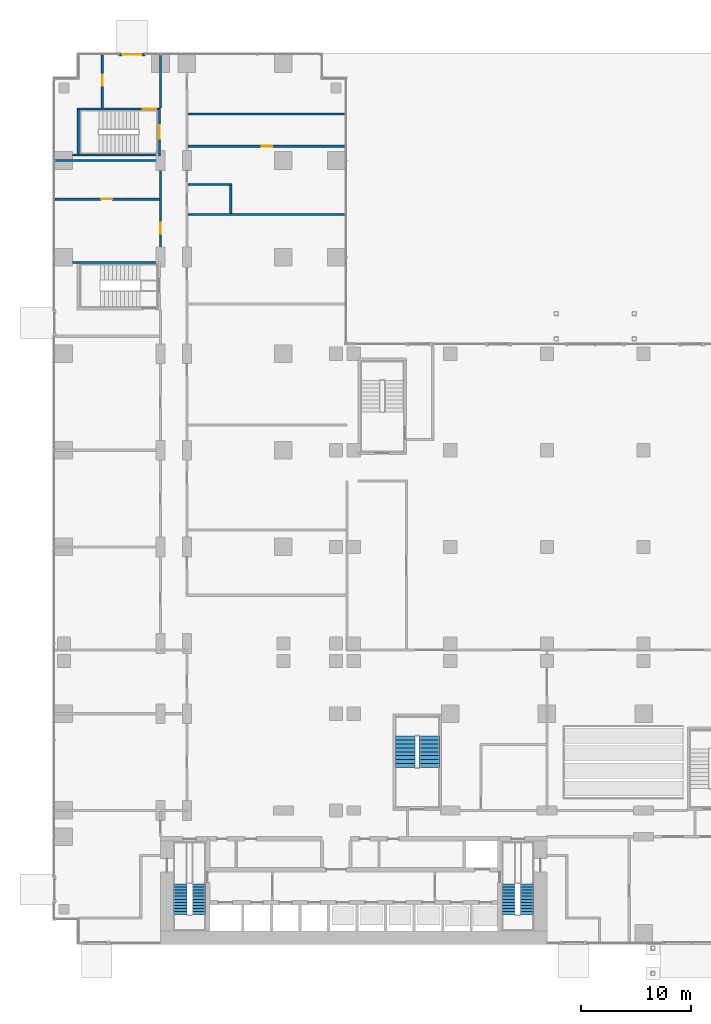
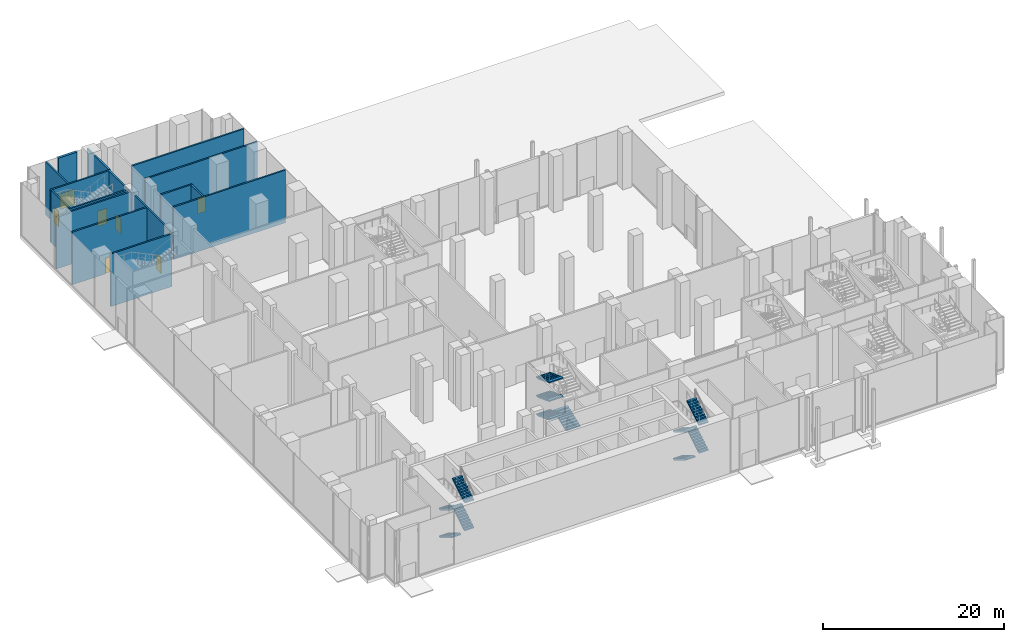
# One storey, part 29 of 41: 16 walls, 12 stair flights, 7 doors, 7 openings, 3 elements without a shape of their own.
"""IFC4 building model written with IfcOpenShell, lengths in metres."""

from ifc_helpers import new_model, si_unit, direction, frame, frame_2d, origin, place, context, subcontext, project, spatial, polyline, rectangle, outline, extrude, material, layer, layer_set, type_object, element, fill, aggregate, save


model = new_model("IFC4")

# Units and contexts
model_context = context("Model", 3, precision=1e-05, world=origin(), true_north=direction((0.0, 1.0)))
body_context = subcontext(model_context, "Body", "Model", "MODEL_VIEW")
ifc_project = project(units=[si_unit("LENGTHUNIT", "METRE"), si_unit("AREAUNIT", "SQUARE_METRE"), si_unit("VOLUMEUNIT", "CUBIC_METRE"), si_unit("PLANEANGLEUNIT", "RADIAN"), si_unit("MASSUNIT", "GRAM", prefix="KILO")], contexts=[model_context])

# Site, building, storey
site_placement = place(None, origin())
site = spatial("IfcSite", under=ifc_project, at=site_placement, CompositionType="ELEMENT")
building_placement = place(site_placement, origin())
building = spatial("IfcBuilding", under=site, at=building_placement, Name="Kemantara Hotel Tower", CompositionType="ELEMENT")
storey_placement = place(building_placement, origin())
storey = spatial("IfcBuildingStorey", under=building, at=storey_placement, Name="L00", CompositionType="ELEMENT", Elevation=0.0)

# Wall, opening, door
ifc_material_1 = material(Name="Bronze-clad aluminium panel", Category="aluminium")
ifc_layer_1 = layer(ifc_material_1, 0.300048828125)
ifc_layer_set_1 = layer_set([ifc_layer_1], Name="Bronze-clad aluminium panel")
wall_type_1 = type_object("IfcWallType", Name="BRONZE-CLAD EXTERNAL WALL 300", PredefinedType="STANDARD", material=ifc_layer_set_1)
wall_1_placement = place(storey_placement, frame((6.0, 81.050048828125, 0.0), z_axis=(0.0, 0.0, 1.0), x_axis=(1.0, 0.0, 0.0)))
wall_1 = element("IfcWall", 1, at=wall_1_placement, inside=storey, type_object=wall_type_1, Name="EXTERNAL WALL AT ENTRANCE", PredefinedType="STANDARD", context=body_context, shape_type="SweptSolid", body=[
    extrude(rectangle(XDim=2.39990234375, YDim=0.300048828125, at=frame_2d((1.199951171875, 0.0))), origin(), (0.0, 0.0, 1.0), 7.10009765625),
])
opening_1_placement = place(wall_1_placement, frame((0.300048828125, 0.0, 0.0)))
opening_1 = element("IfcOpeningElement", 2, at=opening_1_placement, cuts=wall_1, Name="Opening L00-B043", PredefinedType="OPENING", context=body_context, shape_type="SweptSolid", body=[
    extrude(rectangle(XDim=1.800048828125, YDim=2.10009765625, at=frame_2d((0.89990234375, 1.050048828125))), frame((0.0, 0.159912109375, 0.0), z_axis=(0.0, -1.0, 0.0), x_axis=(1.0, 0.0, 0.0)), (0.0, 0.0, 1.0), 0.320068359375),
])
ifc_material_2 = material(Name="Galvanised steel door leaf", Category="steel")
door_type_1 = type_object("IfcDoorType", Name="FIRE-RATED STEEL DOOR DOUBLE LEAF 1800 X 2100", OperationType="DOUBLE_DOOR_SINGLE_SWING", PredefinedType="DOOR", material=ifc_material_2)
door_1_placement = place(opening_1_placement, origin())
door_1 = element("IfcDoor", 3, at=door_1_placement, inside=storey, type_object=door_type_1, Name="ENTRANCE DOOR", OperationType="DOUBLE_DOOR_SINGLE_SWING", OverallHeight=2.10009765625, OverallWidth=1.800048828125, PredefinedType="DOOR", context=body_context, shape_type="SweptSolid", body=[
    extrude(rectangle(XDim=1.800048828125, YDim=2.10009765625, at=frame_2d((0.89990234375, 1.050048828125))), frame((0.0, 0.02490234375, 0.0), z_axis=(0.0, -1.0, 0.0), x_axis=(1.0, 0.0, 0.0)), (0.0, 0.0, 1.0), 0.050048828125),
])
fill(opening_1, door_1)

# Wall
ifc_material_3 = material(Name="Concrete fc 40 MPa", Category="concrete")
ifc_layer_2 = layer(ifc_material_3, 0.199951171875)
ifc_layer_set_2 = layer_set([ifc_layer_2], Name="Concrete fc 40 MPa")
wall_type_2 = type_object("IfcWallType", Name="Concrete stair wall 200 mm", PredefinedType="SHEAR", material=ifc_layer_set_2)
wall_2_placement = place(storey_placement, frame((1.800048828125, 62.10009765625, 0.0), z_axis=(0.0, 0.0, 1.0), x_axis=(1.0, 0.0, 0.0)))
element("IfcWall", 4, at=wall_2_placement, inside=storey, type_object=wall_type_2, Name="Stair ST4 enclosure wall N", PredefinedType="SHEAR", context=body_context, shape_type="SweptSolid", body=[
    extrude(rectangle(XDim=7.800048828125, YDim=0.199951171875, at=frame_2d((3.89990234375, 0.0))), origin(), (0.0, 0.0, 1.0), 7.10009765625),
])

# Wall, opening, door
wall_3_placement = place(storey_placement, frame((9.699951171875, 71.800048828125, 0.0), z_axis=(0.0, 0.0, 1.0), x_axis=(0.0, 1.0, 0.0)))
wall_3 = element("IfcWall", 5, at=wall_3_placement, inside=storey, type_object=wall_type_2, Name="Stair ST6 enclosure wall with door", PredefinedType="SHEAR", context=body_context, shape_type="SweptSolid", body=[
    extrude(rectangle(XDim=4.39990234375, YDim=0.199951171875, at=frame_2d((2.199951171875, 0.0))), origin(), (0.0, 0.0, 1.0), 7.10009765625),
])
opening_2_placement = place(wall_3_placement, frame((1.60009765625, 0.0, 0.0)))
opening_2 = element("IfcOpeningElement", 6, at=opening_2_placement, cuts=wall_3, Name="Opening ST6-C", PredefinedType="OPENING", context=body_context, shape_type="SweptSolid", body=[
    extrude(rectangle(XDim=1.199951171875, YDim=2.10009765625, at=frame_2d((0.60009765625, 1.050048828125))), frame((0.0, 0.10986328125, 0.0), z_axis=(0.0, -1.0, 0.0), x_axis=(1.0, 0.0, 0.0)), (0.0, 0.0, 1.0), 0.219970703125),
])
ifc_material_4 = material(Name="Steel fire door", Category="steel")
door_type_2 = type_object("IfcDoorType", Name="Fire door FD90 1200 x 2100", OperationType="NOTDEFINED", PredefinedType="DOOR", material=ifc_material_4)
door_2_placement = place(opening_2_placement, frame((1.199951171875, 0.0, 0.0), z_axis=(0.0, 0.0, 1.0), x_axis=(-1.0, 0.0, 0.0)))
door_2 = element("IfcDoor", 7, at=door_2_placement, inside=storey, type_object=door_type_2, Name="Stair ST6 door", OperationType="SINGLE_SWING_LEFT", OverallHeight=2.10009765625, OverallWidth=1.199951171875, PredefinedType="DOOR", context=body_context, shape_type="SweptSolid", body=[
    extrude(rectangle(XDim=1.199951171875, YDim=2.10009765625, at=frame_2d((0.60009765625, 1.050048828125))), frame((0.0, 0.02490234375, 0.0), z_axis=(0.0, -1.0, 0.0), x_axis=(1.0, 0.0, 0.0)), (0.0, 0.0, 1.0), 0.050048828125),
])
fill(opening_2, door_2)

wall_4_placement = place(storey_placement, frame((2.199951171875, 76.10009765625, 0.0), z_axis=(0.0, 0.0, 1.0), x_axis=(1.0, 0.0, 0.0)))
wall_4 = element("IfcWall", 8, at=wall_4_placement, inside=storey, type_object=wall_type_2, Name="Stair ST6 enclosure wall N", PredefinedType="SHEAR", context=body_context, shape_type="SweptSolid", body=[
    extrude(rectangle(XDim=7.400146484375, YDim=0.199951171875, at=frame_2d((3.7001953125, 0.0))), origin(), (0.0, 0.0, 1.0), 7.10009765625),
])
opening_3_placement = place(wall_4_placement, frame((6.0, 0.0, 0.0)))
opening_3 = element("IfcOpeningElement", 9, at=opening_3_placement, cuts=wall_4, Name="Opening ST6-X", PredefinedType="OPENING", context=body_context, shape_type="SweptSolid", body=[
    extrude(rectangle(XDim=1.199951171875, YDim=2.10009765625, at=frame_2d((0.60009765625, 1.050048828125))), frame((0.0, 0.10986328125, 0.0), z_axis=(0.0, -1.0, 0.0), x_axis=(1.0, 0.0, 0.0)), (0.0, 0.0, 1.0), 0.219970703125),
])
door_3_placement = place(opening_3_placement, origin())
door_3 = element("IfcDoor", 10, at=door_3_placement, inside=storey, type_object=door_type_2, Name="Stair ST6 exit door to its exit passage", OperationType="SINGLE_SWING_RIGHT", OverallHeight=2.10009765625, OverallWidth=1.199951171875, PredefinedType="DOOR", context=body_context, shape_type="SweptSolid", body=[
    extrude(rectangle(XDim=1.199951171875, YDim=2.10009765625, at=frame_2d((0.60009765625, 1.050048828125))), frame((0.0, 0.02490234375, 0.0), z_axis=(0.0, -1.0, 0.0), x_axis=(1.0, 0.0, 0.0)), (0.0, 0.0, 1.0), 0.050048828125),
])
fill(opening_3, door_3)

# Walls
wall_5_placement = place(storey_placement, frame((1.800048828125, 71.89990234375, 0.0), z_axis=(0.0, 0.0, 1.0), x_axis=(1.0, 0.0, 0.0)))
element("IfcWall", 11, at=wall_5_placement, inside=storey, type_object=wall_type_2, Name="Stair ST6 enclosure wall S", PredefinedType="SHEAR", context=body_context, shape_type="SweptSolid", body=[
    extrude(rectangle(XDim=7.800048828125, YDim=0.199951171875, at=frame_2d((3.89990234375, 0.0))), origin(), (0.0, 0.0, 1.0), 7.10009765625),
])
wall_6_placement = place(storey_placement, frame((2.300048828125, 72.0, 0.0), z_axis=(0.0, 0.0, 1.0), x_axis=(0.0, 1.0, 0.0)))
element("IfcWall", 12, at=wall_6_placement, inside=storey, type_object=wall_type_2, Name="Stair ST6 enclosure wall W", PredefinedType="SHEAR", context=body_context, shape_type="SweptSolid", body=[
    extrude(rectangle(XDim=4.0, YDim=0.199951171875, at=frame_2d((2.0, 0.0))), origin(), (0.0, 0.0, 1.0), 7.10009765625),
])

# Wall, opening, door
ifc_material_5 = material(Name="Fire-rated gypsum board partition")
ifc_layer_3 = layer(ifc_material_5, 0.199951171875)
ifc_layer_set_3 = layer_set([ifc_layer_3], Name="Fire-rated gypsum board partition")
wall_type_3 = type_object("IfcWallType", Name="FIRE-RATED GYPSUM PARTITION 200 EI 60", PredefinedType="PARTITIONING", material=ifc_layer_set_3)
wall_7_placement = place(storey_placement, frame((9.800048828125, 62.60009765625, 0.0), z_axis=(0.0, 0.0, 1.0), x_axis=(0.0, 1.0, 0.0)))
wall_7 = element("IfcWall", 13, at=wall_7_placement, inside=storey, type_object=wall_type_3, Name="FIRE-RATED PARTITION", PredefinedType="PARTITIONING", context=body_context, shape_type="SweptSolid", body=[
    extrude(rectangle(XDim=9.199951171875, YDim=0.199951171875, at=frame_2d((4.60009765625, 0.0))), origin(), (0.0, 0.0, 1.0), 7.10009765625),
])
opening_4_placement = place(wall_7_placement, frame((2.139892578125, 0.0, 0.0)))
opening_4 = element("IfcOpeningElement", 14, at=opening_4_placement, cuts=wall_7, Name="Opening L00-B012", PredefinedType="OPENING", context=body_context, shape_type="SweptSolid", body=[
    extrude(rectangle(XDim=1.0, YDim=2.10009765625, at=frame_2d((0.5, 1.050048828125))), frame((0.0, 0.10986328125, 0.0), z_axis=(0.0, -1.0, 0.0), x_axis=(1.0, 0.0, 0.0)), (0.0, 0.0, 1.0), 0.219970703125),
])
ifc_material_6 = material(Name="Timber veneer door leaf", Category="wood")
door_type_3 = type_object("IfcDoorType", Name="SINGLE LEAF TIMBER DOOR 1000 X 2100", OperationType="SINGLE_SWING_LEFT", PredefinedType="DOOR", material=ifc_material_6)
door_4_placement = place(opening_4_placement, origin())
door_4 = element("IfcDoor", 15, at=door_4_placement, inside=storey, type_object=door_type_3, Name="SINGLE LEAF TIMBER DOOR", OperationType="SINGLE_SWING_LEFT", OverallHeight=2.10009765625, OverallWidth=1.0, PredefinedType="DOOR", context=body_context, shape_type="SweptSolid", body=[
    extrude(rectangle(XDim=1.0, YDim=2.10009765625, at=frame_2d((0.5, 1.050048828125))), frame((0.0, 0.02490234375, 0.0), z_axis=(0.0, -1.0, 0.0), x_axis=(1.0, 0.0, 0.0)), (0.0, 0.0, 1.0), 0.050048828125),
])
fill(opening_4, door_4)

# Wall
wall_8_placement = place(storey_placement, frame((9.800048828125, 76.199951171875, 0.0), z_axis=(0.0, 0.0, 1.0), x_axis=(0.0, 1.0, 0.0)))
element("IfcWall", 16, at=wall_8_placement, inside=storey, type_object=wall_type_3, Name="FIRE-RATED PARTITION", PredefinedType="PARTITIONING", context=body_context, shape_type="SweptSolid", body=[
    extrude(rectangle(XDim=4.800048828125, YDim=0.199951171875, at=frame_2d((2.39990234375, 0.0))), origin(), (0.0, 0.0, 1.0), 7.10009765625),
])

# Wall, opening, door
wall_9_placement = place(storey_placement, frame((4.5, 76.199951171875, 0.0), z_axis=(0.0, 0.0, 1.0), x_axis=(0.0, 1.0, 0.0)))
wall_9 = element("IfcWall", 17, at=wall_9_placement, inside=storey, type_object=wall_type_3, Name="FIRE-RATED PARTITION", PredefinedType="PARTITIONING", context=body_context, shape_type="SweptSolid", body=[
    extrude(rectangle(XDim=4.800048828125, YDim=0.199951171875, at=frame_2d((2.39990234375, 0.0))), origin(), (0.0, 0.0, 1.0), 7.10009765625),
])
opening_5_placement = place(wall_9_placement, frame((2.0, 0.0, 0.0)))
opening_5 = element("IfcOpeningElement", 18, at=opening_5_placement, cuts=wall_9, Name="Opening L00-B013", PredefinedType="OPENING", context=body_context, shape_type="SweptSolid", body=[
    extrude(rectangle(XDim=1.0, YDim=2.10009765625, at=frame_2d((0.5, 1.050048828125))), frame((0.0, 0.10986328125, 0.0), z_axis=(0.0, -1.0, 0.0), x_axis=(1.0, 0.0, 0.0)), (0.0, 0.0, 1.0), 0.219970703125),
])
door_5_placement = place(opening_5_placement, origin())
door_5 = element("IfcDoor", 19, at=door_5_placement, inside=storey, type_object=door_type_3, Name="SINGLE LEAF TIMBER DOOR", OperationType="SINGLE_SWING_RIGHT", OverallHeight=2.10009765625, OverallWidth=1.0, PredefinedType="DOOR", context=body_context, shape_type="SweptSolid", body=[
    extrude(rectangle(XDim=1.0, YDim=2.10009765625, at=frame_2d((0.5, 1.050048828125))), frame((0.0, 0.02490234375, 0.0), z_axis=(0.0, -1.0, 0.0), x_axis=(1.0, 0.0, 0.0)), (0.0, 0.0, 1.0), 0.050048828125),
])
fill(opening_5, door_5)

ifc_material_7 = material(Name="Gypsum board partition")
ifc_layer_4 = layer(ifc_material_7, 0.199951171875)
ifc_layer_set_4 = layer_set([ifc_layer_4], Name="Gypsum board partition")
wall_type_4 = type_object("IfcWallType", Name="GYPSUM BOARD PARTITION 200", PredefinedType="PARTITIONING", material=ifc_layer_set_4)
wall_10_placement = place(storey_placement, frame((0.199951171875, 67.8798828125, 0.0), z_axis=(0.0, 0.0, 1.0), x_axis=(1.0, 0.0, 0.0)))
wall_10 = element("IfcWall", 20, at=wall_10_placement, inside=storey, type_object=wall_type_4, Name="PARTITION", PredefinedType="PARTITIONING", context=body_context, shape_type="SweptSolid", body=[
    extrude(rectangle(XDim=9.5, YDim=0.199951171875, at=frame_2d((4.75, 0.0))), origin(), (0.0, 0.0, 1.0), 7.10009765625),
])
opening_6_placement = place(wall_10_placement, frame((4.199951171875, 0.0, 0.0)))
opening_6 = element("IfcOpeningElement", 21, at=opening_6_placement, cuts=wall_10, Name="Opening L00-B004", PredefinedType="OPENING", context=body_context, shape_type="SweptSolid", body=[
    extrude(rectangle(XDim=1.0, YDim=2.10009765625, at=frame_2d((0.5, 1.050048828125))), frame((0.0, 0.10986328125, 0.0), z_axis=(0.0, -1.0, 0.0), x_axis=(1.0, 0.0, 0.0)), (0.0, 0.0, 1.0), 0.219970703125),
])
door_6_placement = place(opening_6_placement, origin())
door_6 = element("IfcDoor", 22, at=door_6_placement, inside=storey, type_object=door_type_3, Name="SINGLE LEAF TIMBER DOOR", OperationType="SINGLE_SWING_LEFT", OverallHeight=2.10009765625, OverallWidth=1.0, PredefinedType="DOOR", context=body_context, shape_type="SweptSolid", body=[
    extrude(rectangle(XDim=1.0, YDim=2.10009765625, at=frame_2d((0.5, 1.050048828125))), frame((0.0, 0.02490234375, 0.0), z_axis=(0.0, -1.0, 0.0), x_axis=(1.0, 0.0, 0.0)), (0.0, 0.0, 1.0), 0.050048828125),
])
fill(opening_6, door_6)

# Walls
wall_11_placement = place(storey_placement, frame((0.199951171875, 71.39990234375, 0.0), z_axis=(0.0, 0.0, 1.0), x_axis=(1.0, 0.0, 0.0)))
element("IfcWall", 23, at=wall_11_placement, inside=storey, type_object=wall_type_4, Name="PARTITION", PredefinedType="PARTITIONING", context=body_context, shape_type="SweptSolid", body=[
    extrude(rectangle(XDim=9.5, YDim=0.199951171875, at=frame_2d((4.75, 0.0))), origin(), (0.0, 0.0, 1.0), 7.10009765625),
])
wall_12_placement = place(storey_placement, frame((12.300048828125, 66.469970703125, 0.0), z_axis=(0.0, 0.0, 1.0), x_axis=(1.0, 0.0, 0.0)))
element("IfcWall", 24, at=wall_12_placement, inside=storey, type_object=wall_type_4, Name="PARTITION", PredefinedType="PARTITIONING", context=body_context, shape_type="SweptSolid", body=[
    extrude(rectangle(XDim=14.300048828125, YDim=0.199951171875, at=frame_2d((7.14990234375, 0.0))), origin(), (0.0, 0.0, 1.0), 7.10009765625),
])
wall_13_placement = place(storey_placement, frame((12.300048828125, 69.218017578125, 0.0), z_axis=(0.0, 0.0, 1.0), x_axis=(1.0, 0.0, 0.0)))
element("IfcWall", 25, at=wall_13_placement, inside=storey, type_object=wall_type_4, Name="PARTITION", PredefinedType="PARTITIONING", context=body_context, shape_type="SweptSolid", body=[
    extrude(rectangle(XDim=4.0, YDim=0.199951171875, at=frame_2d((2.0, 0.0))), origin(), (0.0, 0.0, 1.0), 7.10009765625),
])

# Wall, opening, door
wall_14_placement = place(storey_placement, frame((12.300048828125, 72.698974609375, 0.0), z_axis=(0.0, 0.0, 1.0), x_axis=(1.0, 0.0, 0.0)))
wall_14 = element("IfcWall", 26, at=wall_14_placement, inside=storey, type_object=wall_type_4, Name="PARTITION", PredefinedType="PARTITIONING", context=body_context, shape_type="SweptSolid", body=[
    extrude(rectangle(XDim=14.300048828125, YDim=0.199951171875, at=frame_2d((7.14990234375, 0.0))), origin(), (0.0, 0.0, 1.0), 7.10009765625),
])
opening_7_placement = place(wall_14_placement, frame((6.699951171875, 0.0, 0.0)))
opening_7 = element("IfcOpeningElement", 27, at=opening_7_placement, cuts=wall_14, Name="Opening L00-B005", PredefinedType="OPENING", context=body_context, shape_type="SweptSolid", body=[
    extrude(rectangle(XDim=1.0, YDim=2.10009765625, at=frame_2d((0.5, 1.050048828125))), frame((0.0, 0.10986328125, 0.0), z_axis=(0.0, -1.0, 0.0), x_axis=(1.0, 0.0, 0.0)), (0.0, 0.0, 1.0), 0.219970703125),
])
door_7_placement = place(opening_7_placement, origin())
door_7 = element("IfcDoor", 28, at=door_7_placement, inside=storey, type_object=door_type_3, Name="SINGLE LEAF TIMBER DOOR", OperationType="SINGLE_SWING_RIGHT", OverallHeight=2.10009765625, OverallWidth=1.0, PredefinedType="DOOR", context=body_context, shape_type="SweptSolid", body=[
    extrude(rectangle(XDim=1.0, YDim=2.10009765625, at=frame_2d((0.5, 1.050048828125))), frame((0.0, 0.02490234375, 0.0), z_axis=(0.0, -1.0, 0.0), x_axis=(1.0, 0.0, 0.0)), (0.0, 0.0, 1.0), 0.050048828125),
])
fill(opening_7, door_7)

# Walls
wall_15_placement = place(storey_placement, frame((12.300048828125, 75.6298828125, 0.0), z_axis=(0.0, 0.0, 1.0), x_axis=(1.0, 0.0, 0.0)))
element("IfcWall", 29, at=wall_15_placement, inside=storey, type_object=wall_type_4, Name="PARTITION", PredefinedType="PARTITIONING", context=body_context, shape_type="SweptSolid", body=[
    extrude(rectangle(XDim=14.300048828125, YDim=0.199951171875, at=frame_2d((7.14990234375, 0.0))), origin(), (0.0, 0.0, 1.0), 7.10009765625),
])
wall_16_placement = place(storey_placement, frame((16.199951171875, 66.570068359375, 0.0), z_axis=(0.0, 0.0, 1.0), x_axis=(0.0, 1.0, 0.0)))
element("IfcWall", 30, at=wall_16_placement, inside=storey, type_object=wall_type_4, Name="PARTITION", PredefinedType="PARTITIONING", context=body_context, shape_type="SweptSolid", body=[
    extrude(rectangle(XDim=2.5478515625, YDim=0.199951171875, at=frame_2d((1.27392578125, 0.0))), origin(), (0.0, 0.0, 1.0), 7.10009765625),
])

# Stair, stair flights
stair_type_1 = type_object("IfcStairType", Name="Stair 1200 wide 44 risers of 170 x 280 mm", PredefinedType="HALF_TURN_STAIR", material=ifc_material_3)
stair_1_placement = place(storey_placement, origin())
stair_1 = element("IfcStair", 31, at=stair_1_placement, inside=storey, type_object=stair_type_1, Name="L00 Exit stair ST1", PredefinedType="HALF_TURN_STAIR")
stair_flight_type_1 = type_object("IfcStairFlightType", Name="Stair flight 1200 wide 170 x 280 mm", PredefinedType="STRAIGHT", material=ifc_material_3)
stair_flight_1_placement = place(storey_placement, frame((11.60009765625, 5.5, 0.0), z_axis=(0.0, 0.0, 1.0), x_axis=(0.0, -1.0, 0.0)))
stair_flight_1 = element("IfcStairFlight", 32, at=stair_flight_1_placement, type_object=stair_flight_type_1, Name="ST1 flight 1", NumberOfRisers=11, NumberOfTreads=10, PredefinedType="STRAIGHT", RiserHeight=0.170454545, TreadLength=0.28, context=body_context, shape_type="SweptSolid", body=[
    extrude(outline(polyline([(0.0, 0.0), (0.0, 0.17041015625), (0.280029296875, 0.17041015625), (0.280029296875, 0.3408203125), (0.56005859375, 0.3408203125), (0.56005859375, 0.511474609375), (0.840087890625, 0.511474609375), (0.840087890625, 0.681884765625), (1.1201171875, 0.681884765625), (1.1201171875, 0.852294921875), (1.39990234375, 0.852294921875), (1.39990234375, 1.022705078125), (1.679931640625, 1.022705078125), (1.679931640625, 1.193115234375), (1.9599609375, 1.193115234375), (1.9599609375, 1.363525390625), (2.239990234375, 1.363525390625), (2.239990234375, 1.5341796875), (2.52001953125, 1.5341796875), (2.52001953125, 1.70458984375), (2.800048828125, 1.70458984375), (2.800048828125, 1.875), (2.800048828125, 1.529052734375), (0.288330078125, 0.0), (0.0, 0.0)])), frame((0.0, 0.60009765625, 0.0), z_axis=(0.0, -1.0, 0.0), x_axis=(1.0, 0.0, 0.0)), (0.0, 0.0, 1.0), 1.199951171875),
])
stair_flight_2_placement = place(storey_placement, frame((13.300048828125, 2.699951171875, 1.875), z_axis=(0.0, 0.0, 1.0), x_axis=(0.0, 1.0, 0.0)))
stair_flight_2 = element("IfcStairFlight", 33, at=stair_flight_2_placement, type_object=stair_flight_type_1, Name="ST1 flight 2", NumberOfRisers=11, NumberOfTreads=10, PredefinedType="STRAIGHT", RiserHeight=0.170454545, TreadLength=0.28, context=body_context, shape_type="SweptSolid", body=[
    extrude(outline(polyline([(0.0, 0.0), (0.0, 0.17041015625), (0.280029296875, 0.17041015625), (0.280029296875, 0.3408203125), (0.56005859375, 0.3408203125), (0.56005859375, 0.511474609375), (0.840087890625, 0.511474609375), (0.840087890625, 0.681884765625), (1.1201171875, 0.681884765625), (1.1201171875, 0.852294921875), (1.39990234375, 0.852294921875), (1.39990234375, 1.022705078125), (1.679931640625, 1.022705078125), (1.679931640625, 1.193115234375), (1.9599609375, 1.193115234375), (1.9599609375, 1.363525390625), (2.239990234375, 1.363525390625), (2.239990234375, 1.5341796875), (2.52001953125, 1.5341796875), (2.52001953125, 1.70458984375), (2.800048828125, 1.70458984375), (2.800048828125, 1.875), (2.800048828125, 1.529052734375), (0.288330078125, 0.0), (0.0, 0.0)])), frame((0.0, 0.60009765625, 0.0), z_axis=(0.0, -1.0, 0.0), x_axis=(1.0, 0.0, 0.0)), (0.0, 0.0, 1.0), 1.199951171875),
])
stair_flight_3_placement = place(storey_placement, frame((11.60009765625, 5.5, 3.75), z_axis=(0.0, 0.0, 1.0), x_axis=(0.0, -1.0, 0.0)))
stair_flight_3 = element("IfcStairFlight", 34, at=stair_flight_3_placement, type_object=stair_flight_type_1, Name="ST1 flight 3", NumberOfRisers=11, NumberOfTreads=10, PredefinedType="STRAIGHT", RiserHeight=0.170454545, TreadLength=0.28, context=body_context, shape_type="SweptSolid", body=[
    extrude(outline(polyline([(0.0, 0.0), (0.0, 0.17041015625), (0.280029296875, 0.17041015625), (0.280029296875, 0.3408203125), (0.56005859375, 0.3408203125), (0.56005859375, 0.511474609375), (0.840087890625, 0.511474609375), (0.840087890625, 0.681884765625), (1.1201171875, 0.681884765625), (1.1201171875, 0.852294921875), (1.39990234375, 0.852294921875), (1.39990234375, 1.022705078125), (1.679931640625, 1.022705078125), (1.679931640625, 1.193115234375), (1.9599609375, 1.193115234375), (1.9599609375, 1.363525390625), (2.239990234375, 1.363525390625), (2.239990234375, 1.5341796875), (2.52001953125, 1.5341796875), (2.52001953125, 1.70458984375), (2.800048828125, 1.70458984375), (2.800048828125, 1.875), (2.800048828125, 1.529052734375), (0.288330078125, 0.0), (0.0, 0.0)])), frame((0.0, 0.60009765625, 0.0), z_axis=(0.0, -1.0, 0.0), x_axis=(1.0, 0.0, 0.0)), (0.0, 0.0, 1.0), 1.199951171875),
])
stair_flight_4_placement = place(storey_placement, frame((13.300048828125, 2.699951171875, 5.625), z_axis=(0.0, 0.0, 1.0), x_axis=(0.0, 1.0, 0.0)))
stair_flight_4 = element("IfcStairFlight", 35, at=stair_flight_4_placement, type_object=stair_flight_type_1, Name="ST1 flight 4", NumberOfRisers=11, NumberOfTreads=10, PredefinedType="STRAIGHT", RiserHeight=0.170454545, TreadLength=0.28, context=body_context, shape_type="SweptSolid", body=[
    extrude(outline(polyline([(0.0, 0.0), (0.0, 0.17041015625), (0.280029296875, 0.17041015625), (0.280029296875, 0.3408203125), (0.56005859375, 0.3408203125), (0.56005859375, 0.511474609375), (0.840087890625, 0.511474609375), (0.840087890625, 0.681884765625), (1.1201171875, 0.681884765625), (1.1201171875, 0.852294921875), (1.39990234375, 0.852294921875), (1.39990234375, 1.022705078125), (1.679931640625, 1.022705078125), (1.679931640625, 1.193115234375), (1.9599609375, 1.193115234375), (1.9599609375, 1.363525390625), (2.239990234375, 1.363525390625), (2.239990234375, 1.5341796875), (2.52001953125, 1.5341796875), (2.52001953125, 1.70458984375), (2.800048828125, 1.70458984375), (2.800048828125, 1.875), (2.800048828125, 1.529052734375), (0.288330078125, 0.0), (0.0, 0.0)])), frame((0.0, 0.60009765625, 0.0), z_axis=(0.0, -1.0, 0.0), x_axis=(1.0, 0.0, 0.0)), (0.0, 0.0, 1.0), 1.199951171875),
])
aggregate(stair_1, [stair_flight_1, stair_flight_2, stair_flight_3, stair_flight_4])

stair_2_placement = place(storey_placement, origin())
stair_2 = element("IfcStair", 36, at=stair_2_placement, inside=storey, type_object=stair_type_1, Name="L00 Exit stair ST2", PredefinedType="HALF_TURN_STAIR")
stair_flight_5_placement = place(storey_placement, frame((41.5, 5.5, 0.0), z_axis=(0.0, 0.0, 1.0), x_axis=(0.0, -1.0, 0.0)))
stair_flight_5 = element("IfcStairFlight", 37, at=stair_flight_5_placement, type_object=stair_flight_type_1, Name="ST2 flight 1", NumberOfRisers=11, NumberOfTreads=10, PredefinedType="STRAIGHT", RiserHeight=0.170454545, TreadLength=0.28, context=body_context, shape_type="SweptSolid", body=[
    extrude(outline(polyline([(0.0, 0.0), (0.0, 0.17041015625), (0.280029296875, 0.17041015625), (0.280029296875, 0.3408203125), (0.56005859375, 0.3408203125), (0.56005859375, 0.511474609375), (0.840087890625, 0.511474609375), (0.840087890625, 0.681884765625), (1.1201171875, 0.681884765625), (1.1201171875, 0.852294921875), (1.39990234375, 0.852294921875), (1.39990234375, 1.022705078125), (1.679931640625, 1.022705078125), (1.679931640625, 1.193115234375), (1.9599609375, 1.193115234375), (1.9599609375, 1.363525390625), (2.239990234375, 1.363525390625), (2.239990234375, 1.5341796875), (2.52001953125, 1.5341796875), (2.52001953125, 1.70458984375), (2.800048828125, 1.70458984375), (2.800048828125, 1.875), (2.800048828125, 1.529052734375), (0.288330078125, 0.0), (0.0, 0.0)])), frame((0.0, 0.60009765625, 0.0), z_axis=(0.0, -1.0, 0.0), x_axis=(1.0, 0.0, 0.0)), (0.0, 0.0, 1.0), 1.199951171875),
])
stair_flight_6_placement = place(storey_placement, frame((43.199951171875, 2.699951171875, 1.875), z_axis=(0.0, 0.0, 1.0), x_axis=(0.0, 1.0, 0.0)))
stair_flight_6 = element("IfcStairFlight", 38, at=stair_flight_6_placement, type_object=stair_flight_type_1, Name="ST2 flight 2", NumberOfRisers=11, NumberOfTreads=10, PredefinedType="STRAIGHT", RiserHeight=0.170454545, TreadLength=0.28, context=body_context, shape_type="SweptSolid", body=[
    extrude(outline(polyline([(0.0, 0.0), (0.0, 0.17041015625), (0.280029296875, 0.17041015625), (0.280029296875, 0.3408203125), (0.56005859375, 0.3408203125), (0.56005859375, 0.511474609375), (0.840087890625, 0.511474609375), (0.840087890625, 0.681884765625), (1.1201171875, 0.681884765625), (1.1201171875, 0.852294921875), (1.39990234375, 0.852294921875), (1.39990234375, 1.022705078125), (1.679931640625, 1.022705078125), (1.679931640625, 1.193115234375), (1.9599609375, 1.193115234375), (1.9599609375, 1.363525390625), (2.239990234375, 1.363525390625), (2.239990234375, 1.5341796875), (2.52001953125, 1.5341796875), (2.52001953125, 1.70458984375), (2.800048828125, 1.70458984375), (2.800048828125, 1.875), (2.800048828125, 1.529052734375), (0.288330078125, 0.0), (0.0, 0.0)])), frame((0.0, 0.60009765625, 0.0), z_axis=(0.0, -1.0, 0.0), x_axis=(1.0, 0.0, 0.0)), (0.0, 0.0, 1.0), 1.199951171875),
])
stair_flight_7_placement = place(storey_placement, frame((41.5, 5.5, 3.75), z_axis=(0.0, 0.0, 1.0), x_axis=(0.0, -1.0, 0.0)))
stair_flight_7 = element("IfcStairFlight", 39, at=stair_flight_7_placement, type_object=stair_flight_type_1, Name="ST2 flight 3", NumberOfRisers=11, NumberOfTreads=10, PredefinedType="STRAIGHT", RiserHeight=0.170454545, TreadLength=0.28, context=body_context, shape_type="SweptSolid", body=[
    extrude(outline(polyline([(0.0, 0.0), (0.0, 0.17041015625), (0.280029296875, 0.17041015625), (0.280029296875, 0.3408203125), (0.56005859375, 0.3408203125), (0.56005859375, 0.511474609375), (0.840087890625, 0.511474609375), (0.840087890625, 0.681884765625), (1.1201171875, 0.681884765625), (1.1201171875, 0.852294921875), (1.39990234375, 0.852294921875), (1.39990234375, 1.022705078125), (1.679931640625, 1.022705078125), (1.679931640625, 1.193115234375), (1.9599609375, 1.193115234375), (1.9599609375, 1.363525390625), (2.239990234375, 1.363525390625), (2.239990234375, 1.5341796875), (2.52001953125, 1.5341796875), (2.52001953125, 1.70458984375), (2.800048828125, 1.70458984375), (2.800048828125, 1.875), (2.800048828125, 1.529052734375), (0.288330078125, 0.0), (0.0, 0.0)])), frame((0.0, 0.60009765625, 0.0), z_axis=(0.0, -1.0, 0.0), x_axis=(1.0, 0.0, 0.0)), (0.0, 0.0, 1.0), 1.199951171875),
])
stair_flight_8_placement = place(storey_placement, frame((43.199951171875, 2.699951171875, 5.625), z_axis=(0.0, 0.0, 1.0), x_axis=(0.0, 1.0, 0.0)))
stair_flight_8 = element("IfcStairFlight", 40, at=stair_flight_8_placement, type_object=stair_flight_type_1, Name="ST2 flight 4", NumberOfRisers=11, NumberOfTreads=10, PredefinedType="STRAIGHT", RiserHeight=0.170454545, TreadLength=0.28, context=body_context, shape_type="SweptSolid", body=[
    extrude(outline(polyline([(0.0, 0.0), (0.0, 0.17041015625), (0.280029296875, 0.17041015625), (0.280029296875, 0.3408203125), (0.56005859375, 0.3408203125), (0.56005859375, 0.511474609375), (0.840087890625, 0.511474609375), (0.840087890625, 0.681884765625), (1.1201171875, 0.681884765625), (1.1201171875, 0.852294921875), (1.39990234375, 0.852294921875), (1.39990234375, 1.022705078125), (1.679931640625, 1.022705078125), (1.679931640625, 1.193115234375), (1.9599609375, 1.193115234375), (1.9599609375, 1.363525390625), (2.239990234375, 1.363525390625), (2.239990234375, 1.5341796875), (2.52001953125, 1.5341796875), (2.52001953125, 1.70458984375), (2.800048828125, 1.70458984375), (2.800048828125, 1.875), (2.800048828125, 1.529052734375), (0.288330078125, 0.0), (0.0, 0.0)])), frame((0.0, 0.60009765625, 0.0), z_axis=(0.0, -1.0, 0.0), x_axis=(1.0, 0.0, 0.0)), (0.0, 0.0, 1.0), 1.199951171875),
])
aggregate(stair_2, [stair_flight_5, stair_flight_6, stair_flight_7, stair_flight_8])

stair_type_2 = type_object("IfcStairType", Name="Stair 1800 wide 54 risers of 139 x 360 mm", PredefinedType="HALF_TURN_STAIR", material=ifc_material_3)
stair_3_placement = place(storey_placement, origin())
stair_3 = element("IfcStair", 41, at=stair_3_placement, inside=storey, type_object=stair_type_2, Name="L00 Stair PS3", PredefinedType="HALF_TURN_STAIR")
stair_flight_type_2 = type_object("IfcStairFlightType", Name="Stair flight 1800 wide 139 x 360 mm", PredefinedType="STRAIGHT", material=ifc_material_3)
stair_flight_9_placement = place(storey_placement, frame((34.300048828125, 16.10009765625, 0.0), z_axis=(0.0, 0.0, 1.0), x_axis=(0.0, 1.0, 0.0)))
stair_flight_9 = element("IfcStairFlight", 42, at=stair_flight_9_placement, type_object=stair_flight_type_2, Name="PS3 flight 1", NumberOfRisers=9, NumberOfTreads=8, PredefinedType="STRAIGHT", RiserHeight=0.138888889, TreadLength=0.36, context=body_context, shape_type="SweptSolid", body=[
    extrude(outline(polyline([(0.0, 0.0), (0.0, 0.138916015625), (0.360107421875, 0.138916015625), (0.360107421875, 0.27783203125), (0.719970703125, 0.27783203125), (0.719970703125, 0.416748046875), (1.080078125, 0.416748046875), (1.080078125, 0.5556640625), (1.43994140625, 0.5556640625), (1.43994140625, 0.6943359375), (1.800048828125, 0.6943359375), (1.800048828125, 0.833251953125), (2.159912109375, 0.833251953125), (2.159912109375, 0.97216796875), (2.52001953125, 0.97216796875), (2.52001953125, 1.111083984375), (2.8798828125, 1.111083984375), (2.8798828125, 1.25), (2.8798828125, 0.950439453125), (0.41650390625, 0.0), (0.0, 0.0)])), frame((0.0, 0.89990234375, 0.0), z_axis=(0.0, -1.0, 0.0), x_axis=(1.0, 0.0, 0.0)), (0.0, 0.0, 1.0), 1.800048828125),
])
stair_flight_10_placement = place(storey_placement, frame((32.10009765625, 18.97998046875, 1.25), z_axis=(0.0, 0.0, 1.0), x_axis=(0.0, -1.0, 0.0)))
stair_flight_10 = element("IfcStairFlight", 43, at=stair_flight_10_placement, type_object=stair_flight_type_2, Name="PS3 flight 2", NumberOfRisers=9, NumberOfTreads=8, PredefinedType="STRAIGHT", RiserHeight=0.138888889, TreadLength=0.36, context=body_context, shape_type="SweptSolid", body=[
    extrude(outline(polyline([(0.0, 0.0), (0.0, 0.138916015625), (0.360107421875, 0.138916015625), (0.360107421875, 0.27783203125), (0.719970703125, 0.27783203125), (0.719970703125, 0.416748046875), (1.080078125, 0.416748046875), (1.080078125, 0.5556640625), (1.43994140625, 0.5556640625), (1.43994140625, 0.6943359375), (1.800048828125, 0.6943359375), (1.800048828125, 0.833251953125), (2.159912109375, 0.833251953125), (2.159912109375, 0.97216796875), (2.52001953125, 0.97216796875), (2.52001953125, 1.111083984375), (2.8798828125, 1.111083984375), (2.8798828125, 1.25), (2.8798828125, 0.950439453125), (0.41650390625, 0.0), (0.0, 0.0)])), frame((0.0, 0.89990234375, 0.0), z_axis=(0.0, -1.0, 0.0), x_axis=(1.0, 0.0, 0.0)), (0.0, 0.0, 1.0), 1.800048828125),
])
stair_flight_11_placement = place(storey_placement, frame((32.10009765625, 18.97998046875, 3.75), z_axis=(0.0, 0.0, 1.0), x_axis=(0.0, -1.0, 0.0)))
stair_flight_11 = element("IfcStairFlight", 44, at=stair_flight_11_placement, type_object=stair_flight_type_2, Name="PS3 flight 4", NumberOfRisers=9, NumberOfTreads=8, PredefinedType="STRAIGHT", RiserHeight=0.138888889, TreadLength=0.36, context=body_context, shape_type="SweptSolid", body=[
    extrude(outline(polyline([(0.0, 0.0), (0.0, 0.138916015625), (0.360107421875, 0.138916015625), (0.360107421875, 0.27783203125), (0.719970703125, 0.27783203125), (0.719970703125, 0.416748046875), (1.080078125, 0.416748046875), (1.080078125, 0.5556640625), (1.43994140625, 0.5556640625), (1.43994140625, 0.6943359375), (1.800048828125, 0.6943359375), (1.800048828125, 0.833251953125), (2.159912109375, 0.833251953125), (2.159912109375, 0.97216796875), (2.52001953125, 0.97216796875), (2.52001953125, 1.111083984375), (2.8798828125, 1.111083984375), (2.8798828125, 1.25), (2.8798828125, 0.950439453125), (0.41650390625, 0.0), (0.0, 0.0)])), frame((0.0, 0.89990234375, 0.0), z_axis=(0.0, -1.0, 0.0), x_axis=(1.0, 0.0, 0.0)), (0.0, 0.0, 1.0), 1.800048828125),
])
stair_flight_12_placement = place(storey_placement, frame((32.10009765625, 18.97998046875, 6.25), z_axis=(0.0, 0.0, 1.0), x_axis=(0.0, -1.0, 0.0)))
stair_flight_12 = element("IfcStairFlight", 45, at=stair_flight_12_placement, type_object=stair_flight_type_2, Name="PS3 flight 6", NumberOfRisers=9, NumberOfTreads=8, PredefinedType="STRAIGHT", RiserHeight=0.138888889, TreadLength=0.36, context=body_context, shape_type="SweptSolid", body=[
    extrude(outline(polyline([(0.0, 0.0), (0.0, 0.138916015625), (0.360107421875, 0.138916015625), (0.360107421875, 0.27783203125), (0.719970703125, 0.27783203125), (0.719970703125, 0.416748046875), (1.080078125, 0.416748046875), (1.080078125, 0.5556640625), (1.43994140625, 0.5556640625), (1.43994140625, 0.6943359375), (1.800048828125, 0.6943359375), (1.800048828125, 0.833251953125), (2.159912109375, 0.833251953125), (2.159912109375, 0.97216796875), (2.52001953125, 0.97216796875), (2.52001953125, 1.111083984375), (2.8798828125, 1.111083984375), (2.8798828125, 1.25), (2.8798828125, 0.950439453125), (0.41650390625, 0.0), (0.0, 0.0)])), frame((0.0, 0.89990234375, 0.0), z_axis=(0.0, -1.0, 0.0), x_axis=(1.0, 0.0, 0.0)), (0.0, 0.0, 1.0), 1.800048828125),
])
aggregate(stair_3, [stair_flight_9, stair_flight_10, stair_flight_11, stair_flight_12])

save(model, "model.ifc")
